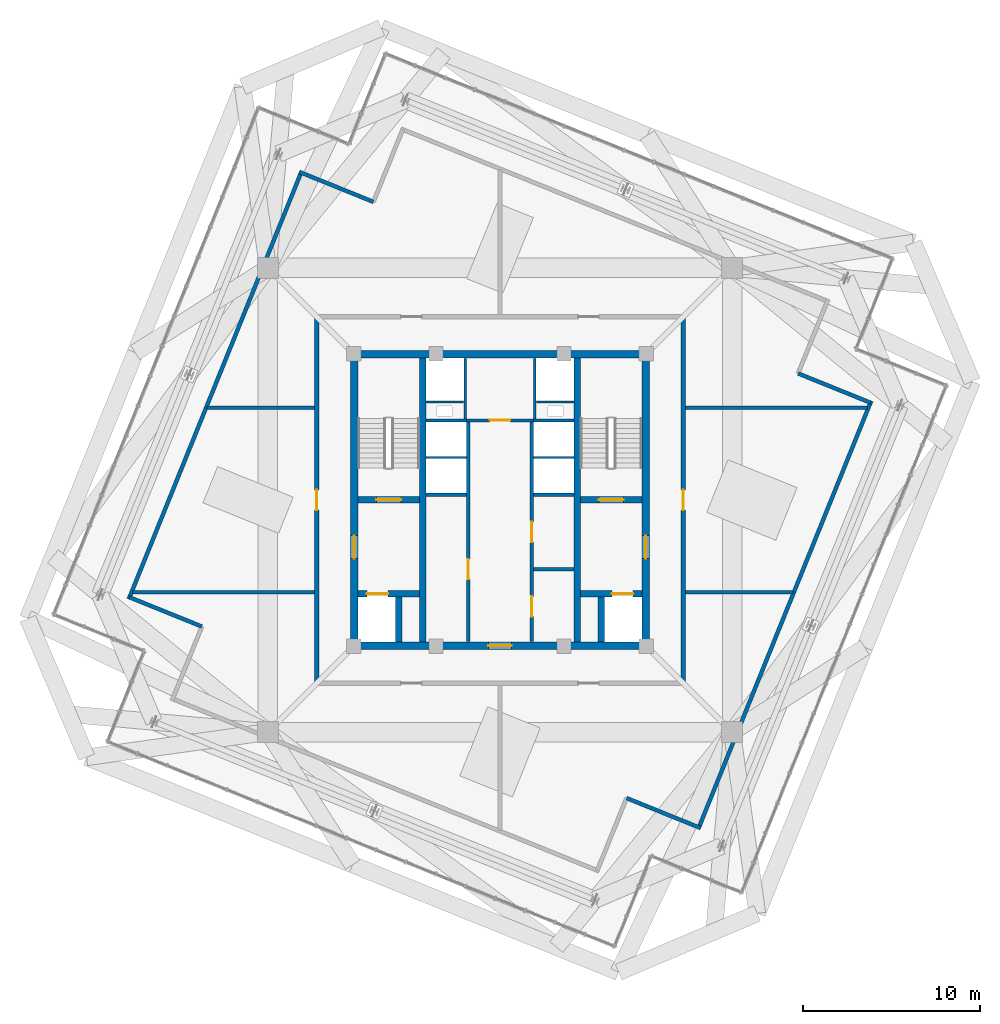
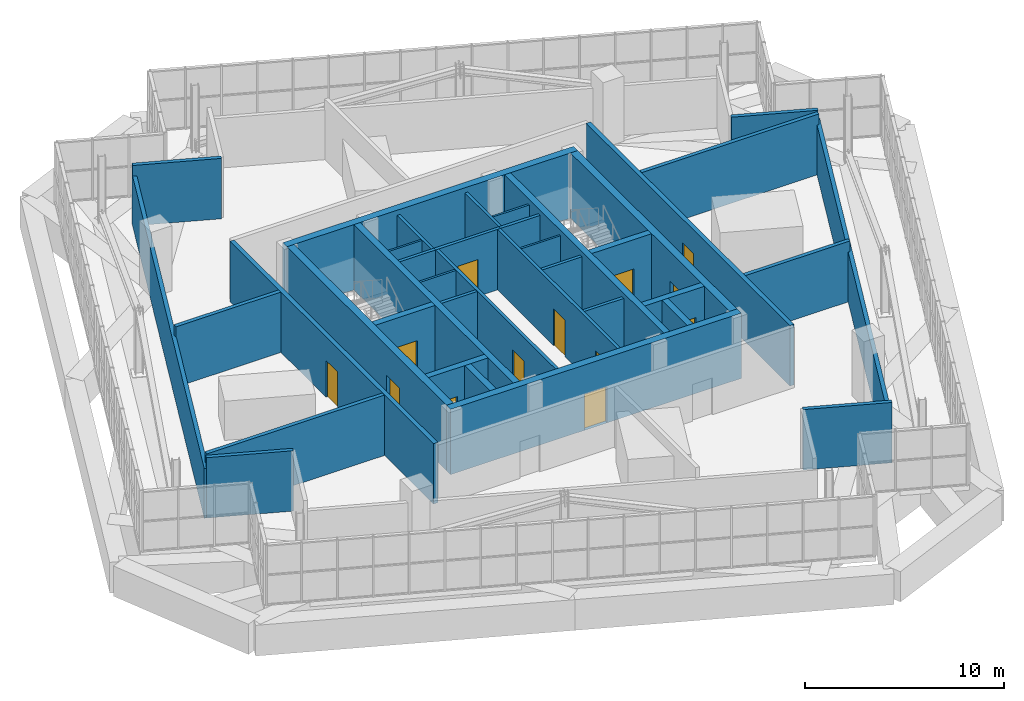
# One storey, part 32 of 35: 38 walls, 13 doors, 13 openings.
"""IFC4 building model written with IfcOpenShell, lengths in metres."""

from ifc_helpers import new_model, si_unit, direction, frame, frame_2d, origin, place, context, subcontext, project, spatial, rectangle, extrude, source, transform, mapped, material, layer, layer_set, type_object, element, fill, save


model = new_model("IFC4")

# Units and contexts
model_context = context("Model", 3, precision=1e-05, world=origin(), true_north=direction((0.0, 1.0)))
body_context = subcontext(model_context, "Body", "Model", "MODEL_VIEW")
ifc_project = project(units=[si_unit("LENGTHUNIT", "METRE"), si_unit("AREAUNIT", "SQUARE_METRE"), si_unit("VOLUMEUNIT", "CUBIC_METRE"), si_unit("PLANEANGLEUNIT", "RADIAN"), si_unit("MASSUNIT", "GRAM", prefix="KILO"), si_unit("THERMODYNAMICTEMPERATUREUNIT", "KELVIN")], contexts=[model_context])

# Site, building, storey
site_placement = place(None, origin())
site = spatial("IfcSite", under=ifc_project, at=site_placement, CompositionType="ELEMENT")
building_placement = place(site_placement, origin())
building = spatial("IfcBuilding", under=site, at=building_placement, Name="Kosmvard Interchange Tower", CompositionType="ELEMENT")
storey_placement = place(building_placement, frame((0.0, 0.0, 321.60009765625)))
storey = spatial("IfcBuildingStorey", under=building, at=storey_placement, Name="L79", CompositionType="ELEMENT", Elevation=321.60009765625)

# Walls
ifc_material_1 = material(Name="Fire-rated gypsum partition system")
ifc_layer_1 = layer(ifc_material_1, 0.159912109375, Name="Fire-rated gypsum partition system")
ifc_layer_set_1 = layer_set([ifc_layer_1], Name="Fire-rated gypsum partition system")
wall_type_1 = type_object("IfcWallType", Name="Core Compartment & Shuttle Lobby Partition 160", PredefinedType="PARTITIONING", material=ifc_layer_set_1)
for number, where, z_axis, x_axis, name in (
    (1, (-1.9599609375, 4.580078125, 0.0), (0.0, 0.0, 1.0), (0.0, 1.0, 0.0), "L79 North Core West Wall"),
    (2, (1.9599609375, 4.580078125, 0.0), (0.0, 0.0, 1.0), (0.0, 1.0, 0.0), "L79 North Core East Wall"),
):
    element("IfcWall", number, at=place(storey_placement, frame(where, z_axis=z_axis, x_axis=x_axis)), inside=storey, type_object=wall_type_1, Name=name, PredefinedType="PARTITIONING", context=body_context, shape_type="SweptSolid", body=[
        extrude(rectangle(XDim=3.39990234375, YDim=0.159912109375, at=frame_2d((1.699951171875, 0.0))), origin(), (0.0, 0.0, 1.0), 3.699951171875),
    ])

# Wall, opening, door
ifc_layer_2 = layer(ifc_material_1, 0.179931640625, Name="Fire-rated gypsum partition system")
ifc_layer_set_2 = layer_set([ifc_layer_2], Name="Fire-rated gypsum partition system")
wall_type_2 = type_object("IfcWallType", Name="Corridor & Hotel Compartment Partition 180", PredefinedType="PARTITIONING", material=ifc_layer_set_2)
wall_1_placement = place(storey_placement, frame((-1.7900390625, -7.97998046875, 0.0), z_axis=(0.0, 0.0, 1.0), x_axis=(0.0, 1.0, 0.0)))
wall_1 = element("IfcWall", 3, at=wall_1_placement, inside=storey, type_object=wall_type_2, Name="L79 West Lift Bank Front Wall", PredefinedType="PARTITIONING", context=body_context, shape_type="SweptSolid", body=[
    extrude(rectangle(XDim=12.3798828125, YDim=0.179931640625, at=frame_2d((6.18994140625, 0.0))), origin(), (0.0, 0.0, 1.0), 3.699951171875),
])
opening_1_placement = place(wall_1_placement, frame((3.5, 0.0, 0.0)))
opening_1 = element("IfcOpeningElement", 4, at=opening_1_placement, cuts=wall_1, Name="Opening L79-CD1", PredefinedType="OPENING", context=body_context, shape_type="SweptSolid", body=[
    extrude(rectangle(XDim=1.14990234375, YDim=2.25, at=frame_2d((0.574951171875, 1.125))), frame((0.0, 0.10009765625, 0.0), z_axis=(0.0, -1.0, 0.0), x_axis=(1.0, 0.0, 0.0)), (0.0, 0.0, 1.0), 0.199951171875),
])
ifc_material_2 = material(Name="Painted fire-rated steel leaf", Category="steel")
door_type_1 = type_object("IfcDoorType", Name="Plant & Riser Fire Door 1150x2250 EI60", OperationType="NOTDEFINED", PredefinedType="DOOR", material=ifc_material_2)
shared_shape_1 = source(origin(), body_context, "Body", "SweptSolid", [
    extrude(rectangle(XDim=1.14990234375, YDim=2.25, at=frame_2d((0.574951171875, 1.125))), frame((0.0, 0.02490234375, 0.0), z_axis=(0.0, -1.0, 0.0), x_axis=(1.0, 0.0, 0.0)), (0.0, 0.0, 1.0), 0.050048828125),
])
door_1_placement = place(opening_1_placement, origin())
door_1 = element("IfcDoor", 5, at=door_1_placement, inside=storey, type_object=door_type_1, Name="L79 Core West Store Door", OperationType="SINGLE_SWING_LEFT", OverallHeight=2.25, OverallWidth=1.14990234375, PredefinedType="DOOR", context=body_context, shape_type="MappedRepresentation", body=[
    mapped(shared_shape_1, transform((0.0, 0.0, 0.0), scale=1.0)),
])
fill(opening_1, door_1)

# Wall, openings, doors
wall_2_placement = place(storey_placement, frame((1.7900390625, -7.97998046875, 0.0), z_axis=(0.0, 0.0, 1.0), x_axis=(0.0, 1.0, 0.0)))
wall_2 = element("IfcWall", 6, at=wall_2_placement, inside=storey, type_object=wall_type_2, Name="L79 East Lift Bank Front Wall", PredefinedType="PARTITIONING", context=body_context, shape_type="SweptSolid", body=[
    extrude(rectangle(XDim=12.3798828125, YDim=0.179931640625, at=frame_2d((6.18994140625, 0.0))), origin(), (0.0, 0.0, 1.0), 3.699951171875),
])
opening_2_placement = place(wall_2_placement, frame((1.39990234375, 0.0, 0.0)))
opening_2 = element("IfcOpeningElement", 7, at=opening_2_placement, cuts=wall_2, Name="Opening L79-CD2", PredefinedType="OPENING", context=body_context, shape_type="SweptSolid", body=[
    extrude(rectangle(XDim=1.14990234375, YDim=2.25, at=frame_2d((0.574951171875, 1.125))), frame((0.0, 0.10009765625, 0.0), z_axis=(0.0, -1.0, 0.0), x_axis=(1.0, 0.0, 0.0)), (0.0, 0.0, 1.0), 0.199951171875),
])
opening_3_placement = place(wall_2_placement, frame((5.60009765625, 0.0, 0.0)))
opening_3 = element("IfcOpeningElement", 8, at=opening_3_placement, cuts=wall_2, Name="Opening L79-CD3", PredefinedType="OPENING", context=body_context, shape_type="SweptSolid", body=[
    extrude(rectangle(XDim=1.14990234375, YDim=2.25, at=frame_2d((0.574951171875, 1.125))), frame((0.0, 0.10009765625, 0.0), z_axis=(0.0, -1.0, 0.0), x_axis=(1.0, 0.0, 0.0)), (0.0, 0.0, 1.0), 0.199951171875),
])
door_2_placement = place(opening_2_placement, frame((1.14990234375, 0.0, 0.0), z_axis=(0.0, 0.0, 1.0), x_axis=(-1.0, 0.0, 0.0)))
door_2 = element("IfcDoor", 9, at=door_2_placement, inside=storey, type_object=door_type_1, Name="L79 Core Tea Pantry Door", OperationType="SINGLE_SWING_LEFT", OverallHeight=2.25, OverallWidth=1.14990234375, PredefinedType="DOOR", context=body_context, shape_type="MappedRepresentation", body=[
    mapped(shared_shape_1, transform((0.0, 0.0, 0.0), scale=1.0)),
])
fill(opening_2, door_2)
door_3_placement = place(opening_3_placement, frame((1.14990234375, 0.0, 0.0), z_axis=(0.0, 0.0, 1.0), x_axis=(-1.0, 0.0, 0.0)))
door_3 = element("IfcDoor", 10, at=door_3_placement, inside=storey, type_object=door_type_1, Name="L79 Mid Core Pantry Door", OperationType="SINGLE_SWING_RIGHT", OverallHeight=2.25, OverallWidth=1.14990234375, PredefinedType="DOOR", context=body_context, shape_type="MappedRepresentation", body=[
    mapped(shared_shape_1, transform((0.0, 0.0, 0.0), scale=1.0)),
])
fill(opening_3, door_3)

# Wall, opening, door
wall_3_placement = place(storey_placement, frame((-1.8798828125, 4.489990234375, 0.0), z_axis=(0.0, 0.0, 1.0), x_axis=(1.0, 0.0, 0.0)))
wall_3 = element("IfcWall", 11, at=wall_3_placement, inside=storey, type_object=wall_type_2, Name="L79 Lift Lobby North Partition", PredefinedType="PARTITIONING", context=body_context, shape_type="SweptSolid", body=[
    extrude(rectangle(XDim=3.759765625, YDim=0.179931640625, at=frame_2d((1.8798828125, 0.0))), origin(), (0.0, 0.0, 1.0), 3.699951171875),
])
opening_4_placement = place(wall_3_placement, frame((1.304931640625, 0.0, 0.0)))
opening_4 = element("IfcOpeningElement", 12, at=opening_4_placement, cuts=wall_3, Name="Opening L79-KD1", PredefinedType="OPENING", context=body_context, shape_type="SweptSolid", body=[
    extrude(rectangle(XDim=1.14990234375, YDim=2.25, at=frame_2d((0.574951171875, 1.125))), frame((0.0, 0.10009765625, 0.0), z_axis=(0.0, -1.0, 0.0), x_axis=(1.0, 0.0, 0.0)), (0.0, 0.0, 1.0), 0.199951171875),
])
door_4_placement = place(opening_4_placement, origin())
door_4 = element("IfcDoor", 13, at=door_4_placement, inside=storey, type_object=door_type_1, Name="L79 Core IT Room Door", OperationType="SINGLE_SWING_LEFT", OverallHeight=2.25, OverallWidth=1.14990234375, PredefinedType="DOOR", context=body_context, shape_type="MappedRepresentation", body=[
    mapped(shared_shape_1, transform((0.0, 0.0, 0.0), scale=1.0)),
])
fill(opening_4, door_4)

ifc_material_3 = material(Name="Concrete C50/60", Category="concrete")
ifc_layer_3 = layer(ifc_material_3, 0.419921875, Name="Concrete C50/60")
ifc_layer_set_3 = layer_set([ifc_layer_3], Name="Concrete C50/60")
wall_type_3 = type_object("IfcWallType", Name="Crown Core Shear Wall 420 C50/60", PredefinedType="SHEAR", material=ifc_layer_set_3)
wall_4_placement = place(storey_placement, frame((-8.419921875, -8.2099609375, 0.0), z_axis=(0.0, 0.0, 1.0), x_axis=(1.0, 0.0, 0.0)))
wall_4 = element("IfcWall", 14, at=wall_4_placement, inside=storey, type_object=wall_type_3, Name="L79 Core Shear Wall CW-S", PredefinedType="SHEAR", context=body_context, shape_type="SweptSolid", body=[
    extrude(rectangle(XDim=16.83984375, YDim=0.419921875, at=frame_2d((8.419921875, 0.0))), origin(), (0.0, 0.0, 1.0), 4.0),
])
opening_5_placement = place(wall_4_placement, frame((7.77001953125, 0.0, 0.0)))
opening_5 = element("IfcOpeningElement", 15, at=opening_5_placement, cuts=wall_4, Name="Opening L79-LD0", PredefinedType="OPENING", context=body_context, shape_type="SweptSolid", body=[
    extrude(rectangle(XDim=1.300048828125, YDim=2.199951171875, at=frame_2d((0.64990234375, 1.10009765625))), frame((0.0, 0.219970703125, 0.0), z_axis=(0.0, -1.0, 0.0), x_axis=(1.0, 0.0, 0.0)), (0.0, 0.0, 1.0), 0.43994140625),
])
door_type_2 = type_object("IfcDoorType", Name="Firefighting Lobby Door 1300x2200 EI60", OperationType="NOTDEFINED", PredefinedType="DOOR", material=ifc_material_2)
shared_shape_2 = source(origin(), body_context, "Body", "SweptSolid", [
    extrude(rectangle(XDim=1.300048828125, YDim=2.199951171875, at=frame_2d((0.64990234375, 1.10009765625))), frame((0.0, 0.02490234375, 0.0), z_axis=(0.0, -1.0, 0.0), x_axis=(1.0, 0.0, 0.0)), (0.0, 0.0, 1.0), 0.050048828125),
])
door_5_placement = place(opening_5_placement, frame((1.300048828125, 0.0, 0.0), z_axis=(0.0, 0.0, 1.0), x_axis=(-1.0, 0.0, 0.0)))
door_5 = element("IfcDoor", 16, at=door_5_placement, inside=storey, type_object=door_type_2, Name="L79 Passenger Lift Lobby South Door", OperationType="SINGLE_SWING_RIGHT", OverallHeight=2.199951171875, OverallWidth=1.300048828125, PredefinedType="DOOR", context=body_context, shape_type="MappedRepresentation", body=[
    mapped(shared_shape_2, transform((0.0, 0.0, 0.0), scale=1.0)),
])
fill(opening_5, door_5)

# Wall
wall_5_placement = place(storey_placement, frame((-8.419921875, 8.2099609375, 0.0), z_axis=(0.0, 0.0, 1.0), x_axis=(1.0, 0.0, 0.0)))
element("IfcWall", 17, at=wall_5_placement, inside=storey, type_object=wall_type_3, Name="L79 Core Shear Wall CW-N", PredefinedType="SHEAR", context=body_context, shape_type="SweptSolid", body=[
    extrude(rectangle(XDim=16.83984375, YDim=0.419921875, at=frame_2d((8.419921875, 0.0))), origin(), (0.0, 0.0, 1.0), 4.0),
])

# Wall, opening, door
wall_6_placement = place(storey_placement, frame((-8.2099609375, -8.0, 0.0), z_axis=(0.0, 0.0, 1.0), x_axis=(0.0, 1.0, 0.0)))
wall_6 = element("IfcWall", 18, at=wall_6_placement, inside=storey, type_object=wall_type_3, Name="L79 Core Shear Wall CW-W", PredefinedType="SHEAR", context=body_context, shape_type="SweptSolid", body=[
    extrude(rectangle(XDim=16.0, YDim=0.419921875, at=frame_2d((8.0, 0.0))), origin(), (0.0, 0.0, 1.0), 4.0),
])
opening_6_placement = place(wall_6_placement, frame((4.68994140625, 0.0, 0.0)))
opening_6 = element("IfcOpeningElement", 19, at=opening_6_placement, cuts=wall_6, Name="Opening L79-FD1", PredefinedType="OPENING", context=body_context, shape_type="SweptSolid", body=[
    extrude(rectangle(XDim=1.300048828125, YDim=2.199951171875, at=frame_2d((0.64990234375, 1.10009765625))), frame((0.0, 0.219970703125, 0.0), z_axis=(0.0, -1.0, 0.0), x_axis=(1.0, 0.0, 0.0)), (0.0, 0.0, 1.0), 0.43994140625),
])
door_6_placement = place(opening_6_placement, frame((1.300048828125, 0.0, 0.0), z_axis=(0.0, 0.0, 1.0), x_axis=(-1.0, 0.0, 0.0)))
door_6 = element("IfcDoor", 20, at=door_6_placement, inside=storey, type_object=door_type_2, Name="L79 Firefighting Lobby West Door", OperationType="SINGLE_SWING_LEFT", OverallHeight=2.199951171875, OverallWidth=1.300048828125, PredefinedType="DOOR", context=body_context, shape_type="MappedRepresentation", body=[
    mapped(shared_shape_2, transform((0.0, 0.0, 0.0), scale=1.0)),
])
fill(opening_6, door_6)

wall_7_placement = place(storey_placement, frame((8.2099609375, -8.0, 0.0), z_axis=(0.0, 0.0, 1.0), x_axis=(0.0, 1.0, 0.0)))
wall_7 = element("IfcWall", 21, at=wall_7_placement, inside=storey, type_object=wall_type_3, Name="L79 Core Shear Wall CW-E", PredefinedType="SHEAR", context=body_context, shape_type="SweptSolid", body=[
    extrude(rectangle(XDim=16.0, YDim=0.419921875, at=frame_2d((8.0, 0.0))), origin(), (0.0, 0.0, 1.0), 4.0),
])
opening_7_placement = place(wall_7_placement, frame((4.68994140625, 0.0, 0.0)))
opening_7 = element("IfcOpeningElement", 22, at=opening_7_placement, cuts=wall_7, Name="Opening L79-FD2", PredefinedType="OPENING", context=body_context, shape_type="SweptSolid", body=[
    extrude(rectangle(XDim=1.300048828125, YDim=2.199951171875, at=frame_2d((0.64990234375, 1.10009765625))), frame((0.0, 0.219970703125, 0.0), z_axis=(0.0, -1.0, 0.0), x_axis=(1.0, 0.0, 0.0)), (0.0, 0.0, 1.0), 0.43994140625),
])
door_7_placement = place(opening_7_placement, origin())
door_7 = element("IfcDoor", 23, at=door_7_placement, inside=storey, type_object=door_type_2, Name="L79 Firefighting Lobby East Door", OperationType="SINGLE_SWING_RIGHT", OverallHeight=2.199951171875, OverallWidth=1.300048828125, PredefinedType="DOOR", context=body_context, shape_type="MappedRepresentation", body=[
    mapped(shared_shape_2, transform((0.0, 0.0, 0.0), scale=1.0)),
])
fill(opening_7, door_7)

ifc_material_4 = material(Name="Concrete blockwork masonry", Category="masonry")
ifc_layer_4 = layer(ifc_material_4, 0.25, Name="Concrete blockwork masonry")
ifc_layer_set_4 = layer_set([ifc_layer_4], Name="Concrete blockwork masonry")
wall_type_4 = type_object("IfcWallType", Name="Exit Passage & Firefighting Lobby Wall 250", PredefinedType="PARTITIONING", material=ifc_layer_set_4)
wall_8_placement = place(storey_placement, frame((-10.320068359375, -10.219970703125, 0.0), z_axis=(0.0, 0.0, 1.0), x_axis=(0.0, 1.0, 0.0)))
wall_8 = element("IfcWall", 24, at=wall_8_placement, inside=storey, type_object=wall_type_4, Name="L79 Corridor Wall CW", PredefinedType="PARTITIONING", context=body_context, shape_type="SweptSolid", body=[
    extrude(rectangle(XDim=20.43994140625, YDim=0.25, at=frame_2d((10.219970703125, 0.0))), origin(), (0.0, 0.0, 1.0), 3.699951171875),
])
opening_8_placement = place(wall_8_placement, frame((9.64501953125, 0.0, 0.0)))
opening_8 = element("IfcOpeningElement", 25, at=opening_8_placement, cuts=wall_8, Name="Opening L79-D06", PredefinedType="OPENING", context=body_context, shape_type="SweptSolid", body=[
    extrude(rectangle(XDim=1.14990234375, YDim=2.25, at=frame_2d((0.574951171875, 1.125))), frame((0.0, 0.135009765625, 0.0), z_axis=(0.0, -1.0, 0.0), x_axis=(1.0, 0.0, 0.0)), (0.0, 0.0, 1.0), 0.27001953125),
])
door_8_placement = place(opening_8_placement, origin())
door_8 = element("IfcDoor", 26, at=door_8_placement, inside=storey, type_object=door_type_1, Name="L79 Fire Booster Reserve Tank Plant Room Door", OperationType="SINGLE_SWING_RIGHT", OverallHeight=2.25, OverallWidth=1.14990234375, PredefinedType="DOOR", context=body_context, shape_type="MappedRepresentation", body=[
    mapped(shared_shape_1, transform((0.0, 0.0, 0.0), scale=1.0)),
])
fill(opening_8, door_8)

wall_9_placement = place(storey_placement, frame((10.320068359375, -10.219970703125, 0.0), z_axis=(0.0, 0.0, 1.0), x_axis=(0.0, 1.0, 0.0)))
wall_9 = element("IfcWall", 27, at=wall_9_placement, inside=storey, type_object=wall_type_4, Name="L79 Corridor Wall CE", PredefinedType="PARTITIONING", context=body_context, shape_type="SweptSolid", body=[
    extrude(rectangle(XDim=20.43994140625, YDim=0.25, at=frame_2d((10.219970703125, 0.0))), origin(), (0.0, 0.0, 1.0), 3.699951171875),
])
opening_9_placement = place(wall_9_placement, frame((9.64501953125, 0.0, 0.0)))
opening_9 = element("IfcOpeningElement", 28, at=opening_9_placement, cuts=wall_9, Name="Opening L79-D03", PredefinedType="OPENING", context=body_context, shape_type="SweptSolid", body=[
    extrude(rectangle(XDim=1.14990234375, YDim=2.25, at=frame_2d((0.574951171875, 1.125))), frame((0.0, 0.135009765625, 0.0), z_axis=(0.0, -1.0, 0.0), x_axis=(1.0, 0.0, 0.0)), (0.0, 0.0, 1.0), 0.27001953125),
])
door_9_placement = place(opening_9_placement, frame((1.14990234375, 0.0, 0.0), z_axis=(0.0, 0.0, 1.0), x_axis=(-1.0, 0.0, 0.0)))
door_9 = element("IfcDoor", 29, at=door_9_placement, inside=storey, type_object=door_type_1, Name="L79 High-Zone Air Handling Plant Room Door", OperationType="SINGLE_SWING_LEFT", OverallHeight=2.25, OverallWidth=1.14990234375, PredefinedType="DOOR", context=body_context, shape_type="MappedRepresentation", body=[
    mapped(shared_shape_1, transform((0.0, 0.0, 0.0), scale=1.0)),
])
fill(opening_9, door_9)

# Walls
ifc_layer_5 = layer(ifc_material_4, 0.179931640625, Name="Concrete blockwork masonry")
ifc_layer_set_5 = layer_set([ifc_layer_5], Name="Concrete blockwork masonry")
wall_type_5 = type_object("IfcWallType", Name="Riser & Lift Bank Divider Wall 180", PredefinedType="PARTITIONING", material=ifc_layer_set_5)
for number, where, z_axis, x_axis, name in (
    (30, (1.889892578125, -3.89990234375, 0.0), (0.0, 0.0, 1.0), (1.0, 0.0, 0.0), "L79 East Bank Divider BD1"),
    (31, (-4.169921875, 0.300048828125, 0.0), (0.0, 0.0, 1.0), (1.0, 0.0, 0.0), "L79 West Bank Divider BD2"),
    (32, (1.889892578125, 0.300048828125, 0.0), (0.0, 0.0, 1.0), (1.0, 0.0, 0.0), "L79 East Bank Divider BD2"),
    (33, (-4.169921875, 4.489990234375, 0.0), (0.0, 0.0, 1.0), (1.0, 0.0, 0.0), "L79 West Bank Divider BD3"),
    (34, (1.889892578125, 4.489990234375, 0.0), (0.0, 0.0, 1.0), (1.0, 0.0, 0.0), "L79 East Bank Divider BD3"),
):
    element("IfcWall", number, at=place(storey_placement, frame(where, z_axis=z_axis, x_axis=x_axis)), inside=storey, type_object=wall_type_5, Name=name, PredefinedType="PARTITIONING", context=body_context, shape_type="SweptSolid", body=[
        extrude(rectangle(XDim=2.280029296875, YDim=0.179931640625, at=frame_2d((1.14013671875, 0.0))), origin(), (0.0, 0.0, 1.0), 3.699951171875),
    ])
ifc_layer_6 = layer(ifc_material_4, 0.219970703125, Name="Concrete blockwork masonry")
ifc_layer_set_6 = layer_set([ifc_layer_6], Name="Concrete blockwork masonry")
wall_type_6 = type_object("IfcWallType", Name="Riser & Plant Enclosure Wall 220", PredefinedType="PARTITIONING", material=ifc_layer_set_6)
wall_10_placement = place(storey_placement, frame((11.172119140625, -18.556396484375, 0.0), z_axis=(0.0, 0.0, 1.0), x_axis=(0.374611707018, 0.927181788521, 0.0)))
element("IfcWall", 35, at=wall_10_placement, inside=storey, type_object=wall_type_6, Name="L79 Crown Plant Enclosure Wall S", PredefinedType="PARTITIONING", context=body_context, shape_type="SweptSolid", body=[
    extrude(rectangle(XDim=26.0400390625, YDim=0.219970703125, at=frame_2d((13.02001953125, 0.0))), origin(), (0.0, 0.0, 1.0), 3.0498046875),
])
wall_11_placement = place(storey_placement, frame((20.8857421875, 5.485595703125, 0.0), z_axis=(0.0, 0.0, 1.0), x_axis=(-0.927189216671, 0.374593321469, 0.0)))
element("IfcWall", 36, at=wall_11_placement, inside=storey, type_object=wall_type_6, Name="L79 Crown Plant Enclosure Wall SE1", PredefinedType="PARTITIONING", context=body_context, shape_type="SweptSolid", body=[
    extrude(rectangle(XDim=4.39990234375, YDim=0.219970703125, at=frame_2d((2.199951171875, 0.0))), origin(), (0.0, 0.0, 1.0), 3.699951171875),
])
wall_12_placement = place(storey_placement, frame((-7.1337890625, 16.80615234375, 0.0), z_axis=(0.0, 0.0, 1.0), x_axis=(-0.927186885331, 0.374599091925, 0.0)))
element("IfcWall", 37, at=wall_12_placement, inside=storey, type_object=wall_type_6, Name="L79 Crown Plant Enclosure Wall NE2", PredefinedType="PARTITIONING", context=body_context, shape_type="SweptSolid", body=[
    extrude(rectangle(XDim=4.510009765625, YDim=0.219970703125, at=frame_2d((2.2548828125, 0.0))), origin(), (0.0, 0.0, 1.0), 3.699951171875),
])
wall_13_placement = place(storey_placement, frame((-11.172119140625, 18.556396484375, 0.0), z_axis=(0.0, 0.0, 1.0), x_axis=(-0.374611707018, -0.927181788521, 0.0)))
element("IfcWall", 38, at=wall_13_placement, inside=storey, type_object=wall_type_6, Name="L79 Crown Plant Enclosure Wall N", PredefinedType="PARTITIONING", context=body_context, shape_type="SweptSolid", body=[
    extrude(rectangle(XDim=26.0400390625, YDim=0.219970703125, at=frame_2d((13.02001953125, 0.0))), origin(), (0.0, 0.0, 1.0), 3.0498046875),
])
wall_14_placement = place(storey_placement, frame((-20.8857421875, -5.485595703125, 0.0), z_axis=(0.0, 0.0, 1.0), x_axis=(0.927189216671, -0.374593321469, 0.0)))
element("IfcWall", 39, at=wall_14_placement, inside=storey, type_object=wall_type_6, Name="L79 Crown Plant Enclosure Wall NW1", PredefinedType="PARTITIONING", context=body_context, shape_type="SweptSolid", body=[
    extrude(rectangle(XDim=4.39990234375, YDim=0.219970703125, at=frame_2d((2.199951171875, 0.0))), origin(), (0.0, 0.0, 1.0), 3.699951171875),
])
wall_15_placement = place(storey_placement, frame((7.1337890625, -16.80615234375, 0.0), z_axis=(0.0, 0.0, 1.0), x_axis=(0.927186885331, -0.374599091925, 0.0)))
element("IfcWall", 40, at=wall_15_placement, inside=storey, type_object=wall_type_6, Name="L79 Crown Plant Enclosure Wall SW2", PredefinedType="PARTITIONING", context=body_context, shape_type="SweptSolid", body=[
    extrude(rectangle(XDim=4.510009765625, YDim=0.219970703125, at=frame_2d((2.2548828125, 0.0))), origin(), (0.0, 0.0, 1.0), 3.699951171875),
])
wall_16_placement = place(storey_placement, frame((10.449951171875, 5.199951171875, 0.0), z_axis=(0.0, 0.0, 1.0), x_axis=(1.0, 0.0, 0.0)))
element("IfcWall", 41, at=wall_16_placement, inside=storey, type_object=wall_type_6, Name="L79 Room Partition 02.1", PredefinedType="PARTITIONING", context=body_context, shape_type="SweptSolid", body=[
    extrude(rectangle(XDim=10.27197265625, YDim=0.219970703125, at=frame_2d((5.135986328125, 0.0))), origin(), (0.0, 0.0, 1.0), 3.699951171875),
])
wall_17_placement = place(storey_placement, frame((10.449951171875, -5.199951171875, 0.0), z_axis=(0.0, 0.0, 1.0), x_axis=(1.0, 0.0, 0.0)))
element("IfcWall", 42, at=wall_17_placement, inside=storey, type_object=wall_type_6, Name="L79 Room Partition 03.1", PredefinedType="PARTITIONING", context=body_context, shape_type="SweptSolid", body=[
    extrude(rectangle(XDim=6.070068359375, YDim=0.219970703125, at=frame_2d((3.03515625, 0.0))), origin(), (0.0, 0.0, 1.0), 3.699951171875),
])
wall_18_placement = place(storey_placement, frame((-10.449951171875, -5.199951171875, 0.0), z_axis=(0.0, 0.0, 1.0), x_axis=(-1.0, 0.0, 0.0)))
element("IfcWall", 43, at=wall_18_placement, inside=storey, type_object=wall_type_6, Name="L79 Room Partition 05.1", PredefinedType="PARTITIONING", context=body_context, shape_type="SweptSolid", body=[
    extrude(rectangle(XDim=10.27197265625, YDim=0.219970703125, at=frame_2d((5.135986328125, 0.0))), origin(), (0.0, 0.0, 1.0), 3.699951171875),
])
wall_19_placement = place(storey_placement, frame((-10.449951171875, 5.199951171875, 0.0), z_axis=(0.0, 0.0, 1.0), x_axis=(-1.0, 0.0, 0.0)))
element("IfcWall", 44, at=wall_19_placement, inside=storey, type_object=wall_type_6, Name="L79 Room Partition 06.1", PredefinedType="PARTITIONING", context=body_context, shape_type="SweptSolid", body=[
    extrude(rectangle(XDim=6.070068359375, YDim=0.219970703125, at=frame_2d((3.03515625, 0.0))), origin(), (0.0, 0.0, 1.0), 3.699951171875),
])
ifc_material_5 = material(Name="Fire-rated gypsum shaftwall system")
ifc_layer_7 = layer(ifc_material_5, 0.1201171875, Name="Fire-rated gypsum shaftwall system")
ifc_layer_set_7 = layer_set([ifc_layer_7], Name="Fire-rated gypsum shaftwall system")
wall_type_7 = type_object("IfcWallType", Name="Shaft & Riser Fire Partition 120 EI60", PredefinedType="PARTITIONING", material=ifc_layer_set_7)
for number, where, z_axis, x_axis, name in (
    (45, (-4.159912109375, 2.39990234375, 0.0), (0.0, 0.0, 1.0), (1.0, 0.0, 0.0), "L79 Shaft Divider PL-H1"),
    (46, (1.89990234375, 2.39990234375, 0.0), (0.0, 0.0, 1.0), (1.0, 0.0, 0.0), "L79 Shaft Divider PL-H3"),
):
    element("IfcWall", number, at=place(storey_placement, frame(where, z_axis=z_axis, x_axis=x_axis)), inside=storey, type_object=wall_type_7, Name=name, PredefinedType="PARTITIONING", context=body_context, shape_type="SweptSolid", body=[
        extrude(rectangle(XDim=2.260009765625, YDim=0.1201171875, at=frame_2d((1.1298828125, 0.0))), origin(), (0.0, 0.0, 1.0), 3.699951171875),
    ])
for number, where, z_axis, x_axis, name in (
    (47, (-4.159912109375, 5.52001953125, 0.0), (0.0, 0.0, 1.0), (1.0, 0.0, 0.0), "L79 Riser Shaft Divider W"),
    (48, (2.06005859375, 5.52001953125, 0.0), (0.0, 0.0, 1.0), (1.0, 0.0, 0.0), "L79 Riser Shaft Divider E"),
):
    element("IfcWall", number, at=place(storey_placement, frame(where, z_axis=z_axis, x_axis=x_axis)), inside=storey, type_object=wall_type_7, Name=name, PredefinedType="PARTITIONING", context=body_context, shape_type="SweptSolid", body=[
        extrude(rectangle(XDim=2.099853515625, YDim=0.1201171875, at=frame_2d((1.0498046875, 0.0))), origin(), (0.0, 0.0, 1.0), 3.699951171875),
    ])
ifc_material_6 = material(Name="Concrete C60/75", Category="concrete")
ifc_layer_8 = layer(ifc_material_6, 0.360107421875, Name="Concrete C60/75")
ifc_layer_set_8 = layer_set([ifc_layer_8], Name="Concrete C60/75")
wall_type_8 = type_object("IfcWallType", Name="Stair & Lift Shaft Shear Wall 360 C60/75", PredefinedType="SHEAR", material=ifc_layer_set_8)
for number, where, z_axis, x_axis, name in (
    (49, (-4.360107421875, -8.0, 0.0), (0.0, 0.0, 1.0), (0.0, 1.0, 0.0), "L79 Shaft Shear Wall SW-W"),
    (50, (4.360107421875, -8.0, 0.0), (0.0, 0.0, 1.0), (0.0, 1.0, 0.0), "L79 Shaft Shear Wall SW-E"),
):
    element("IfcWall", number, at=place(storey_placement, frame(where, z_axis=z_axis, x_axis=x_axis)), inside=storey, type_object=wall_type_8, Name=name, PredefinedType="SHEAR", context=body_context, shape_type="SweptSolid", body=[
        extrude(rectangle(XDim=16.0, YDim=0.360107421875, at=frame_2d((8.0, 0.0))), origin(), (0.0, 0.0, 1.0), 4.0),
    ])

# Wall, opening, door
wall_20_placement = place(storey_placement, frame((-8.0, 0.02001953125, 0.0), z_axis=(0.0, 0.0, 1.0), x_axis=(1.0, 0.0, 0.0)))
wall_20 = element("IfcWall", 51, at=wall_20_placement, inside=storey, type_object=wall_type_8, Name="L79 Shaft Shear Wall SW-ST1", PredefinedType="SHEAR", context=body_context, shape_type="SweptSolid", body=[
    extrude(rectangle(XDim=3.4599609375, YDim=0.360107421875, at=frame_2d((1.72998046875, 0.0))), origin(), (0.0, 0.0, 1.0), 4.0),
])
opening_10_placement = place(wall_20_placement, frame((1.030029296875, 0.0, 0.0)))
opening_10 = element("IfcOpeningElement", 52, at=opening_10_placement, cuts=wall_20, Name="Opening L79-SD1", PredefinedType="OPENING", context=body_context, shape_type="SweptSolid", body=[
    extrude(rectangle(XDim=1.39990234375, YDim=2.199951171875, at=frame_2d((0.699951171875, 1.10009765625))), frame((0.0, 0.18994140625, 0.0), z_axis=(0.0, -1.0, 0.0), x_axis=(1.0, 0.0, 0.0)), (0.0, 0.0, 1.0), 0.380126953125),
])
door_type_3 = type_object("IfcDoorType", Name="Protected Stair Door 1400x2200 FD60S", OperationType="NOTDEFINED", PredefinedType="DOOR", material=ifc_material_2)
shared_shape_3 = source(origin(), body_context, "Body", "SweptSolid", [
    extrude(rectangle(XDim=1.39990234375, YDim=2.199951171875, at=frame_2d((0.699951171875, 1.10009765625))), frame((0.0, 0.02490234375, 0.0), z_axis=(0.0, -1.0, 0.0), x_axis=(1.0, 0.0, 0.0)), (0.0, 0.0, 1.0), 0.050048828125),
])
door_10_placement = place(opening_10_placement, origin())
door_10 = element("IfcDoor", 53, at=door_10_placement, inside=storey, type_object=door_type_3, Name="L79 Stair ST-1 Enclosure Door", OperationType="SINGLE_SWING_LEFT", OverallHeight=2.199951171875, OverallWidth=1.39990234375, PredefinedType="DOOR", context=body_context, shape_type="MappedRepresentation", body=[
    mapped(shared_shape_3, transform((0.0, 0.0, 0.0), scale=1.0)),
])
fill(opening_10, door_10)

wall_21_placement = place(storey_placement, frame((4.5400390625, 0.02001953125, 0.0), z_axis=(0.0, 0.0, 1.0), x_axis=(1.0, 0.0, 0.0)))
wall_21 = element("IfcWall", 54, at=wall_21_placement, inside=storey, type_object=wall_type_8, Name="L79 Shaft Shear Wall SW-ST2", PredefinedType="SHEAR", context=body_context, shape_type="SweptSolid", body=[
    extrude(rectangle(XDim=3.4599609375, YDim=0.360107421875, at=frame_2d((1.72998046875, 0.0))), origin(), (0.0, 0.0, 1.0), 4.0),
])
opening_11_placement = place(wall_21_placement, frame((1.030029296875, 0.0, 0.0)))
opening_11 = element("IfcOpeningElement", 55, at=opening_11_placement, cuts=wall_21, Name="Opening L79-SD2", PredefinedType="OPENING", context=body_context, shape_type="SweptSolid", body=[
    extrude(rectangle(XDim=1.39990234375, YDim=2.199951171875, at=frame_2d((0.699951171875, 1.10009765625))), frame((0.0, 0.18994140625, 0.0), z_axis=(0.0, -1.0, 0.0), x_axis=(1.0, 0.0, 0.0)), (0.0, 0.0, 1.0), 0.380126953125),
])
door_11_placement = place(opening_11_placement, origin())
door_11 = element("IfcDoor", 56, at=door_11_placement, inside=storey, type_object=door_type_3, Name="L79 Stair ST-2 Enclosure Door", OperationType="SINGLE_SWING_RIGHT", OverallHeight=2.199951171875, OverallWidth=1.39990234375, PredefinedType="DOOR", context=body_context, shape_type="MappedRepresentation", body=[
    mapped(shared_shape_3, transform((0.0, 0.0, 0.0), scale=1.0)),
])
fill(opening_11, door_11)

wall_22_placement = place(storey_placement, frame((-8.0, -5.280029296875, 0.0), z_axis=(0.0, 0.0, 1.0), x_axis=(1.0, 0.0, 0.0)))
wall_22 = element("IfcWall", 57, at=wall_22_placement, inside=storey, type_object=wall_type_8, Name="L79 Shaft Shear Wall SW-FF1", PredefinedType="SHEAR", context=body_context, shape_type="SweptSolid", body=[
    extrude(rectangle(XDim=3.4599609375, YDim=0.360107421875, at=frame_2d((1.72998046875, 0.0))), origin(), (0.0, 0.0, 1.0), 4.0),
])
opening_12_placement = place(wall_22_placement, frame((0.5, 0.0, 0.0)))
opening_12 = element("IfcOpeningElement", 58, at=opening_12_placement, cuts=wall_22, Name="Opening LD-FF-1-L79", PredefinedType="OPENING", context=body_context, shape_type="SweptSolid", body=[
    extrude(rectangle(XDim=1.199951171875, YDim=2.25, at=frame_2d((0.60009765625, 1.125))), frame((0.0, 0.18994140625, 0.0), z_axis=(0.0, -1.0, 0.0), x_axis=(1.0, 0.0, 0.0)), (0.0, 0.0, 1.0), 0.380126953125),
])
ifc_material_7 = material(Name="Brushed stainless steel sliding leaf", Category="steel")
door_type_4 = type_object("IfcDoorType", Name="Firefighting Lift Sliding Landing Door 1200x2250 EI120", OperationType="DOUBLE_DOOR_SLIDING", PredefinedType="DOOR", material=ifc_material_7)
shared_shape_4 = source(origin(), body_context, "Body", "SweptSolid", [
    extrude(rectangle(XDim=1.199951171875, YDim=2.25, at=frame_2d((0.60009765625, 1.125))), frame((0.0, 0.02490234375, 0.0), z_axis=(0.0, -1.0, 0.0), x_axis=(1.0, 0.0, 0.0)), (0.0, 0.0, 1.0), 0.050048828125),
])
door_12_placement = place(opening_12_placement, origin())
door_12 = element("IfcDoor", 59, at=door_12_placement, inside=storey, type_object=door_type_4, Name="Lift FF-1 Landing Door L79", OperationType="DOUBLE_DOOR_SLIDING", OverallHeight=2.25, OverallWidth=1.199951171875, PredefinedType="DOOR", context=body_context, shape_type="MappedRepresentation", body=[
    mapped(shared_shape_4, transform((0.0, 0.0, 0.0), scale=1.0)),
])
fill(opening_12, door_12)

wall_23_placement = place(storey_placement, frame((4.5400390625, -5.280029296875, 0.0), z_axis=(0.0, 0.0, 1.0), x_axis=(1.0, 0.0, 0.0)))
wall_23 = element("IfcWall", 60, at=wall_23_placement, inside=storey, type_object=wall_type_8, Name="L79 Shaft Shear Wall SW-FF2", PredefinedType="SHEAR", context=body_context, shape_type="SweptSolid", body=[
    extrude(rectangle(XDim=3.4599609375, YDim=0.360107421875, at=frame_2d((1.72998046875, 0.0))), origin(), (0.0, 0.0, 1.0), 4.0),
])
opening_13_placement = place(wall_23_placement, frame((1.760009765625, 0.0, 0.0)))
opening_13 = element("IfcOpeningElement", 61, at=opening_13_placement, cuts=wall_23, Name="Opening LD-FF-2-L79", PredefinedType="OPENING", context=body_context, shape_type="SweptSolid", body=[
    extrude(rectangle(XDim=1.199951171875, YDim=2.25, at=frame_2d((0.60009765625, 1.125))), frame((0.0, 0.18994140625, 0.0), z_axis=(0.0, -1.0, 0.0), x_axis=(1.0, 0.0, 0.0)), (0.0, 0.0, 1.0), 0.380126953125),
])
door_13_placement = place(opening_13_placement, origin())
door_13 = element("IfcDoor", 62, at=door_13_placement, inside=storey, type_object=door_type_4, Name="Lift FF-2 Landing Door L79", OperationType="DOUBLE_DOOR_SLIDING", OverallHeight=2.25, OverallWidth=1.199951171875, PredefinedType="DOOR", context=body_context, shape_type="MappedRepresentation", body=[
    mapped(shared_shape_4, transform((0.0, 0.0, 0.0), scale=1.0)),
])
fill(opening_13, door_13)

# Walls
for number, where, z_axis, x_axis, name in (
    (63, (-5.7099609375, -8.0, 0.0), (0.0, 0.0, 1.0), (0.0, 1.0, 0.0), "L79 Shaft Shear Wall SW-SM1"),
    (64, (5.7099609375, -8.0, 0.0), (0.0, 0.0, 1.0), (0.0, 1.0, 0.0), "L79 Shaft Shear Wall SW-SM2"),
):
    element("IfcWall", number, at=place(storey_placement, frame(where, z_axis=z_axis, x_axis=x_axis)), inside=storey, type_object=wall_type_8, Name=name, PredefinedType="SHEAR", context=body_context, shape_type="SweptSolid", body=[
        extrude(rectangle(XDim=2.5400390625, YDim=0.360107421875, at=frame_2d((1.27001953125, 0.0))), origin(), (0.0, 0.0, 1.0), 4.0),
    ])

save(model, "model.ifc")
